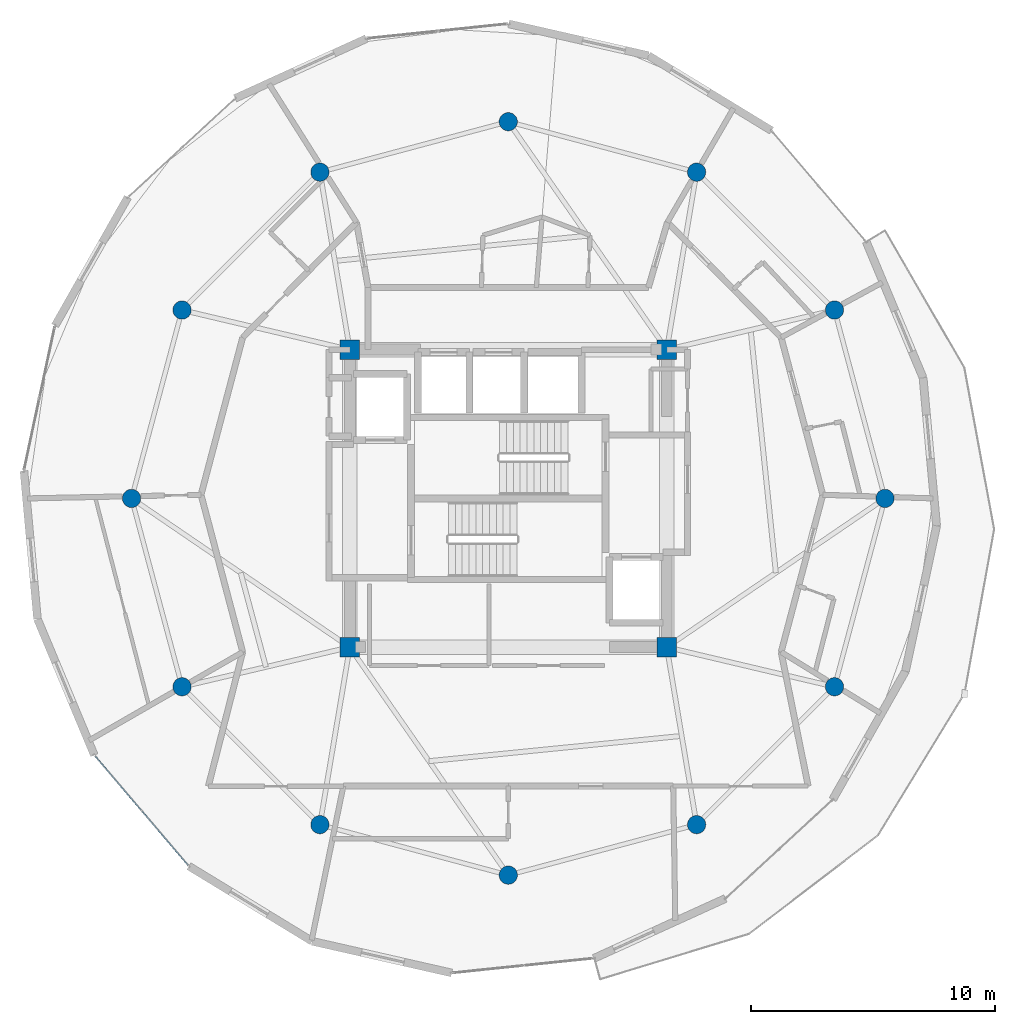
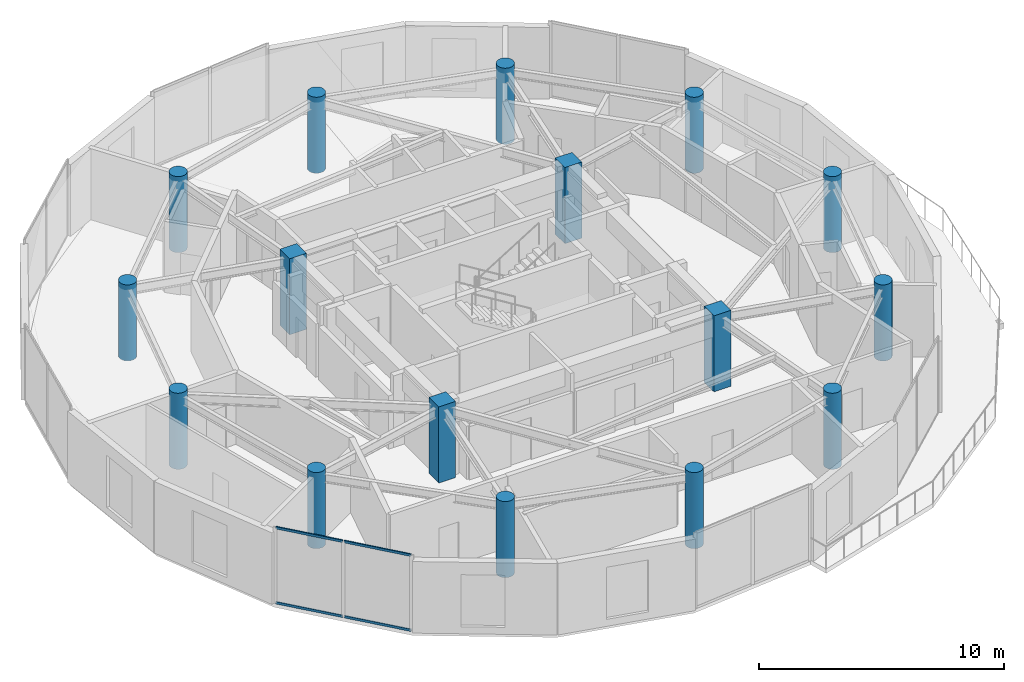
# One storey, part 1 of 22: 16 columns, 4 members, 1 element without a shape of its own.
"""IFC4 building model written with IfcOpenShell, lengths in metres."""

from ifc_helpers import new_model, si_unit, direction, frame, origin, origin_2d, place, context, subcontext, project, spatial, rectangle, hollow_rectangle, circle, extrude, source, transform, mapped, material, layer, layer_set, material_profile, profile_set, type_object, element, aggregate, save


model = new_model("IFC4")

# Units and contexts
model_context = context("Model", 3, precision=1e-05, world=origin(), true_north=direction((0.0, 1.0)))
body_context = subcontext(model_context, "Body", "Model", "MODEL_VIEW")
ifc_project = project(units=[si_unit("LENGTHUNIT", "METRE"), si_unit("AREAUNIT", "SQUARE_METRE"), si_unit("VOLUMEUNIT", "CUBIC_METRE"), si_unit("PLANEANGLEUNIT", "RADIAN"), si_unit("MASSUNIT", "GRAM", prefix="KILO")], contexts=[model_context])

# Site, building, storey
site_placement = place(None, origin())
site = spatial("IfcSite", under=ifc_project, at=site_placement, CompositionType="ELEMENT")
building_placement = place(site_placement, origin())
building = spatial("IfcBuilding", under=site, at=building_placement, Name="Solvirekh Grand Hotel", CompositionType="ELEMENT")
storey_placement = place(building_placement, frame((0.0, 0.0, 289.60009765625)))
storey = spatial("IfcBuildingStorey", under=building, at=storey_placement, Name="L75", CompositionType="ELEMENT", Elevation=289.60009765625)

# Columns
ifc_material_1 = material(Name="Concrete C50/60", Category="concrete")
ifc_material_profile_1 = material_profile(ifc_material_1, rectangle(XDim=0.800048828125, YDim=0.800048828125, at=origin_2d()), Name="RC 800X800")
ifc_profile_set_1 = profile_set([ifc_material_profile_1], Name="Concrete C50/60")
column_type_1 = type_object("IfcColumnType", Name="Col_Core_800", PredefinedType="COLUMN", material=ifc_profile_set_1)
for number, where, z_axis, x_axis, name in (
    (1, (-6.5, -6.10009765625, 0.0), (0.0, 0.0, 1.0), (1.0, 0.0, 0.0), "L75 core corner column CC1"),
    (2, (6.5, -6.10009765625, 0.0), (0.0, 0.0, 1.0), (1.0, 0.0, 0.0), "L75 core corner column CC2"),
    (3, (6.5, 6.10009765625, 0.0), (0.0, 0.0, 1.0), (1.0, 0.0, 0.0), "L75 core corner column CC3"),
    (4, (-6.5, 6.10009765625, 0.0), (0.0, 0.0, 1.0), (1.0, 0.0, 0.0), "L75 core corner column CC4"),
):
    element("IfcColumn", number, at=place(storey_placement, frame(where, z_axis=z_axis, x_axis=x_axis)), inside=storey, type_object=column_type_1, Name=name, PredefinedType="COLUMN", context=body_context, shape_type="SweptSolid", body=[
        extrude(rectangle(XDim=0.800048828125, YDim=0.800048828125, at=origin_2d()), origin(), (0.0, 0.0, 1.0), 3.7998046875),
    ])
ifc_material_profile_2 = material_profile(ifc_material_1, circle(Radius=0.375, at=origin_2d()), Name="RC CIRC D750")
ifc_profile_set_2 = profile_set([ifc_material_profile_2], Name="Concrete C50/60")
column_type_2 = type_object("IfcColumnType", Name="Col_Z4_D750", PredefinedType="COLUMN", material=ifc_profile_set_2)
for number, where, z_axis, x_axis, name in (
    (5, (15.449951171875, 0.0, 0.0), (0.0, 0.0, 1.0), (1.0, 0.0, 0.0), "L75 perimeter column P01"),
    (6, (13.3798828125, 7.72509765625, 0.0), (0.0, 0.0, 1.0), (1.0, 0.0, 0.0), "L75 perimeter column P02"),
    (7, (7.72509765625, 13.3798828125, 0.0), (0.0, 0.0, 1.0), (1.0, 0.0, 0.0), "L75 perimeter column P03"),
    (8, (0.0, 15.449951171875, 0.0), (0.0, 0.0, 1.0), (1.0, 0.0, 0.0), "L75 perimeter column P04"),
    (9, (-7.72509765625, 13.3798828125, 0.0), (0.0, 0.0, 1.0), (1.0, 0.0, 0.0), "L75 perimeter column P05"),
    (10, (-13.3798828125, 7.72509765625, 0.0), (0.0, 0.0, 1.0), (1.0, 0.0, 0.0), "L75 perimeter column P06"),
    (11, (-15.449951171875, 0.0, 0.0), (0.0, 0.0, 1.0), (1.0, 0.0, 0.0), "L75 perimeter column P07"),
    (12, (-13.3798828125, -7.72509765625, 0.0), (0.0, 0.0, 1.0), (1.0, 0.0, 0.0), "L75 perimeter column P08"),
    (13, (-7.72509765625, -13.3798828125, 0.0), (0.0, 0.0, 1.0), (1.0, 0.0, 0.0), "L75 perimeter column P09"),
    (14, (0.0, -15.449951171875, 0.0), (0.0, 0.0, 1.0), (1.0, 0.0, 0.0), "L75 perimeter column P10"),
    (15, (7.72509765625, -13.3798828125, 0.0), (0.0, 0.0, 1.0), (1.0, 0.0, 0.0), "L75 perimeter column P11"),
    (16, (13.3798828125, -7.72509765625, 0.0), (0.0, 0.0, 1.0), (1.0, 0.0, 0.0), "L75 perimeter column P12"),
):
    element("IfcColumn", number, at=place(storey_placement, frame(where, z_axis=z_axis, x_axis=x_axis)), inside=storey, type_object=column_type_2, Name=name, PredefinedType="COLUMN", context=body_context, shape_type="SweptSolid", body=[
        extrude(circle(Radius=0.375, at=origin_2d()), origin(), (0.0, 0.0, 1.0), 3.7998046875),
    ])

# Curtain wall, members
ifc_material_2 = material(Name="Anodized Bronze Aluminium 6063-T6", Category="aluminium")
ifc_layer = layer(ifc_material_2, 0.159912109375)
ifc_layer_set = layer_set([ifc_layer], Name="Anodized Bronze Aluminium 6063-T6")
curtain_wall_type = type_object("IfcCurtainWallType", Name="CW_Sys4_HighZoneFlushBronzeCW", PredefinedType="NOTDEFINED", material=ifc_layer_set)
curtain_wall_placement = place(storey_placement, origin())
curtain_wall = element("IfcCurtainWall", 17, at=curtain_wall_placement, inside=storey, type_object=curtain_wall_type, Name="L75 unitised bronze-glass curtain wall CW-L75-C18", PredefinedType="NOTDEFINED")
ifc_material_profile_3 = material_profile(ifc_material_2, hollow_rectangle(XDim=0.054931640625, YDim=0.1201171875, WallThickness=0.00390625, at=origin_2d()), Name="ALU RHS 120X55X4")
ifc_profile_set_3 = profile_set([ifc_material_profile_3], Name="Anodized Bronze Aluminium 6063-T6")
member_type = type_object("IfcMemberType", Name="CWTransom_Sys4", PredefinedType="USERDEFINED", material=ifc_profile_set_3)
shared_shape = source(origin(), body_context, "Body", "SweptSolid", [
    extrude(hollow_rectangle(XDim=0.054931640625, YDim=0.1201171875, WallThickness=0.00390625, at=origin_2d()), origin(), (0.0, 0.0, 1.0), 2.902099609375),
])
member_1_placement = place(storey_placement, frame((-16.940185546875, -10.57666015625, 0.02734375), z_axis=(0.64858561026, -0.761141712274, 0.0), x_axis=(0.761141712274, 0.64858561026, 0.0)))
member_1 = element("IfcMember", 18, at=member_1_placement, type_object=member_type, Name="U04 transom 1.1", ObjectType="TRANSOM", PredefinedType="USERDEFINED", context=body_context, shape_type="MappedRepresentation", body=[
    mapped(shared_shape, transform((0.0, 0.0, 0.0), x_axis=(1.0, 0.0, 0.0), y_axis=(0.0, 1.0, 0.0), z_axis=(0.0, 0.0, 1.0), scale=1.0)),
])
member_2_placement = place(storey_placement, frame((-16.940185546875, -10.57666015625, 3.7724609375), z_axis=(0.64858561026, -0.761141712274, 0.0), x_axis=(0.761141712274, 0.64858561026, 0.0)))
member_2 = element("IfcMember", 19, at=member_2_placement, type_object=member_type, Name="U04 transom 1.2", ObjectType="TRANSOM", PredefinedType="USERDEFINED", context=body_context, shape_type="MappedRepresentation", body=[
    mapped(shared_shape, transform((0.0, 0.0, 0.0), x_axis=(1.0, 0.0, 0.0), y_axis=(0.0, 1.0, 0.0), z_axis=(0.0, 0.0, 1.0), scale=1.0)),
])
member_3_placement = place(storey_placement, frame((-15.01904296875, -12.831298828125, 0.02734375), z_axis=(0.648536870934, -0.761183241433, 0.0), x_axis=(0.761183241433, 0.648536870934, 0.0)))
member_3 = element("IfcMember", 20, at=member_3_placement, type_object=member_type, Name="U04 transom 2.1", ObjectType="TRANSOM", PredefinedType="USERDEFINED", context=body_context, shape_type="MappedRepresentation", body=[
    mapped(shared_shape, transform((0.0, 0.0, 0.0), x_axis=(1.0, 0.0, 0.0), y_axis=(0.0, 1.0, 0.0), z_axis=(0.0, 0.0, 1.0), scale=1.0)),
])
member_4_placement = place(storey_placement, frame((-15.01904296875, -12.831298828125, 3.7724609375), z_axis=(0.648536870934, -0.761183241433, 0.0), x_axis=(0.761183241433, 0.648536870934, 0.0)))
member_4 = element("IfcMember", 21, at=member_4_placement, type_object=member_type, Name="U04 transom 2.2", ObjectType="TRANSOM", PredefinedType="USERDEFINED", context=body_context, shape_type="MappedRepresentation", body=[
    mapped(shared_shape, transform((0.0, 0.0, 0.0), x_axis=(1.0, 0.0, 0.0), y_axis=(0.0, 1.0, 0.0), z_axis=(0.0, 0.0, 1.0), scale=1.0)),
])
aggregate(curtain_wall, [member_1, member_2, member_3, member_4])

save(model, "model.ifc")
